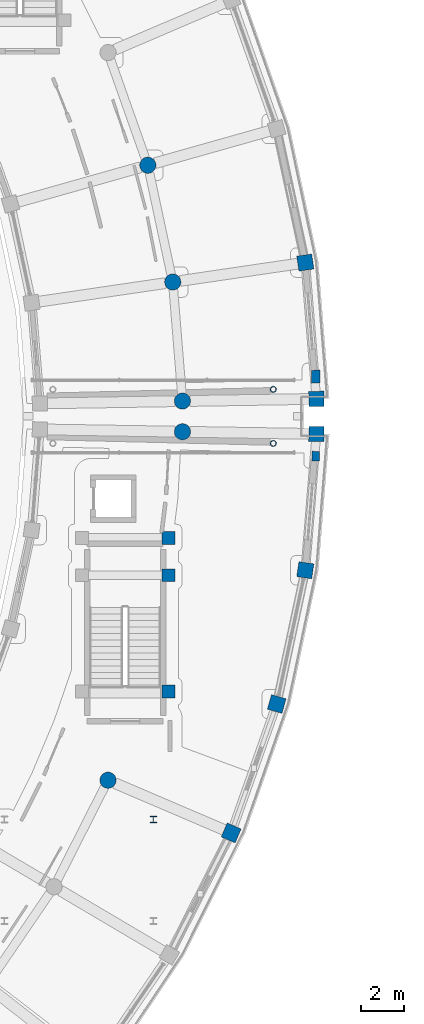
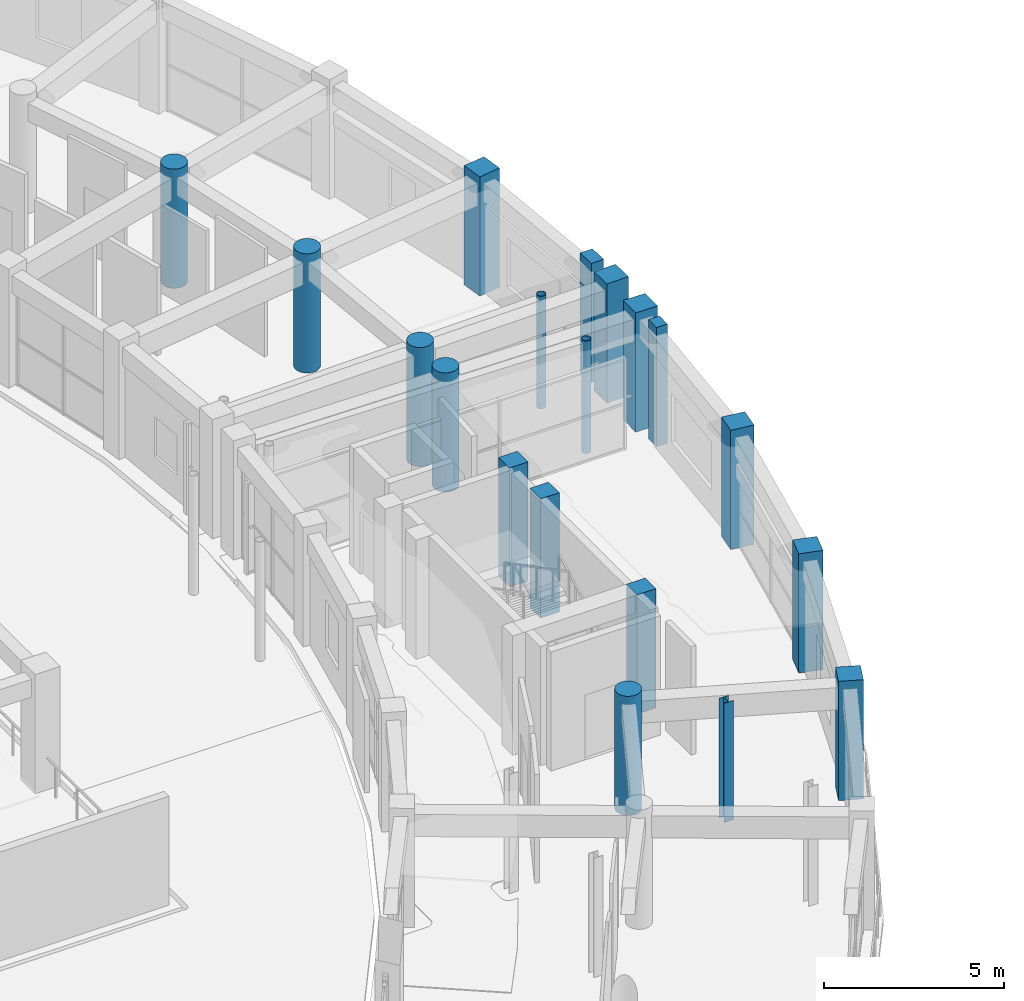
# One storey, part 10 of 87: 19 columns.
"""IFC4 building model written with IfcOpenShell, lengths in metres."""

from ifc_helpers import new_model, si_unit, direction, frame, origin, origin_2d, place, context, subcontext, project, spatial, rectangle, circle, hollow_circle, i_section, extrude, material, material_profile, profile_set, type_object, element, save


model = new_model("IFC4")

# Units and contexts
model_context = context("Model", 3, precision=1e-05, world=origin(), true_north=direction((0.0, 1.0)))
body_context = subcontext(model_context, "Body", "Model", "MODEL_VIEW")
ifc_project = project(units=[si_unit("LENGTHUNIT", "METRE"), si_unit("AREAUNIT", "SQUARE_METRE"), si_unit("VOLUMEUNIT", "CUBIC_METRE"), si_unit("PLANEANGLEUNIT", "RADIAN"), si_unit("MASSUNIT", "GRAM", prefix="KILO")], contexts=[model_context])

# Site, building, storey
site_placement = place(None, origin())
site = spatial("IfcSite", under=ifc_project, at=site_placement, CompositionType="ELEMENT")
building_placement = place(site_placement, origin())
building = spatial("IfcBuilding", under=site, at=building_placement, Name="Saryqyr Civic Hall", CompositionType="ELEMENT")
storey_placement = place(building_placement, frame((0.0, 0.0, 5.10009765625)))
storey = spatial("IfcBuildingStorey", under=building, at=storey_placement, Name="L01", CompositionType="ELEMENT", Elevation=5.10009765625)

# Columns
ifc_material_1 = material(Name="Steel S355", Category="steel")
ifc_material_profile_1 = material_profile(ifc_material_1, hollow_circle(Radius=0.136474609375, WallThickness=0.01611328125, at=origin_2d()), Name="CHS 273x16")
ifc_profile_set_1 = profile_set([ifc_material_profile_1], Name="Steel S355")
column_type_1 = type_object("IfcColumnType", Name="STR-COL-CHS273-S355", PredefinedType="COLUMN", material=ifc_profile_set_1)
for number, where, z_axis, x_axis, name in (
    (1, (104.0, 82.75, 0.0), (0.0, 0.0, 1.0), (1.0, 0.0, 0.0), "Column BRCOL-BR-E-2-L01"),
    (2, (104.0, 85.25, 0.0), (0.0, 0.0, 1.0), (1.0, 0.0, 0.0), "Column BRCOL-BR-E-3-L01"),
):
    element("IfcColumn", number, at=place(storey_placement, frame(where, z_axis=z_axis, x_axis=x_axis)), inside=storey, type_object=column_type_1, Name=name, PredefinedType="COLUMN", context=body_context, shape_type="SweptSolid", body=[
        extrude(hollow_circle(Radius=0.136474609375, WallThickness=0.01611328125, at=origin_2d()), origin(), (0.0, 0.0, 1.0), 3.81982421875),
    ])
ifc_material_profile_2 = material_profile(ifc_material_1, i_section(OverallWidth=0.300048828125, OverallDepth=0.2900390625, WebThickness=0.008544921875, FlangeThickness=0.013916015625, at=origin_2d()), Name="HEA 300")
ifc_profile_set_2 = profile_set([ifc_material_profile_2], Name="Steel S355")
column_type_2 = type_object("IfcColumnType", Name="STR-COL-HEA300-S355", PredefinedType="COLUMN", material=ifc_profile_set_2)
column_1_placement = place(storey_placement, frame((98.449951171875, 65.35009765625, 0.0), z_axis=(0.0, 0.0, 1.0), x_axis=(1.0, 0.0, 0.0)))
element("IfcColumn", 3, at=column_1_placement, inside=storey, type_object=column_type_2, Name="Column RGV5-COL-3-L01", PredefinedType="COLUMN", context=body_context, shape_type="SweptSolid", body=[
    extrude(i_section(OverallWidth=0.300048828125, OverallDepth=0.2900390625, WebThickness=0.008544921875, FlangeThickness=0.013916015625, at=origin_2d()), origin(), (0.0, 0.0, 1.0), 4.0498046875),
])
ifc_material_2 = material(Name="Concrete C40/50", Category="concrete")
ifc_material_profile_3 = material_profile(ifc_material_2, rectangle(XDim=0.60009765625, YDim=0.60009765625, at=origin_2d()), Name="RC 600x600")
ifc_profile_set_3 = profile_set([ifc_material_profile_3], Name="Concrete C40/50")
column_type_3 = type_object("IfcColumnType", Name="STR-COL-RC600-C40", PredefinedType="COLUMN", material=ifc_profile_set_3)
for number, where, z_axis, x_axis, name in (
    (4, (99.139892578125, 71.27490234375, 0.0), (0.0, 0.0, 1.0), (1.0, 0.0, 0.0), "Column ST-5-SCOL-TRMA-L01"),
    (5, (99.139892578125, 76.64990234375, 0.0), (0.0, 0.0, 1.0), (1.0, 0.0, 0.0), "Column ST-5-SCOL-LND1A-L01"),
    (6, (99.139892578125, 78.3798828125, 0.0), (0.0, 0.0, 1.0), (1.0, 0.0, 0.0), "Column ST-5-SCOL-LND2A-L01"),
):
    element("IfcColumn", number, at=place(storey_placement, frame(where, z_axis=z_axis, x_axis=x_axis)), inside=storey, type_object=column_type_3, Name=name, PredefinedType="COLUMN", context=body_context, shape_type="SweptSolid", body=[
        extrude(rectangle(XDim=0.60009765625, YDim=0.60009765625, at=origin_2d()), origin(), (0.0, 0.0, 1.0), 4.0498046875),
    ])
ifc_material_profile_4 = material_profile(ifc_material_2, rectangle(XDim=0.699951171875, YDim=0.699951171875, at=origin_2d()), Name="RC 700x700")
ifc_profile_set_4 = profile_set([ifc_material_profile_4], Name="Concrete C40/50")
column_type_4 = type_object("IfcColumnType", Name="STR-COL-RC700-C40", PredefinedType="COLUMN", material=ifc_profile_set_4)
for number, where, z_axis, x_axis, name in (
    (7, (102.04931640625, 64.724365234375, 0.0), (0.0, 0.0, 1.0), (0.919410138581, -0.393300136124, 0.0), "Column V5-COL-OUT07-L01"),
    (8, (104.157958984375, 70.691162109375, 0.0), (0.0, 0.0, 1.0), (0.962407846499, -0.271608425858, 0.0), "Column V5-COL-OUT08-L01"),
    (9, (105.47998046875, 76.8798828125, 0.0), (0.0, 0.0, 1.0), (0.989374077068, -0.145392350643, 0.0), "Column V5-COL-OUT09-L01"),
    (10, (105.993408203125, 83.1875, 0.0), (0.0, 0.0, 1.0), (0.999862544538, -0.016579868188, 0.0), "Column V5-COL-OUT10-L01"),
    (11, (105.993408203125, 84.8125, 0.0), (0.0, 0.0, 1.0), (0.999862544538, 0.016579868188, 0.0), "Column V6-COL-OUT00-L01"),
    (12, (105.47998046875, 91.1201171875, 0.0), (0.0, 0.0, 1.0), (0.989399437751, 0.145219670077, 0.0), "Column V6-COL-OUT01-L01"),
):
    element("IfcColumn", number, at=place(storey_placement, frame(where, z_axis=z_axis, x_axis=x_axis)), inside=storey, type_object=column_type_4, Name=name, PredefinedType="COLUMN", context=body_context, shape_type="SweptSolid", body=[
        extrude(rectangle(XDim=0.699951171875, YDim=0.699951171875, at=origin_2d()), origin(), (0.0, 0.0, 1.0), 4.0498046875),
    ])
ifc_material_profile_5 = material_profile(ifc_material_2, circle(Radius=0.375, at=origin_2d()), Name="RC D750")
ifc_profile_set_5 = profile_set([ifc_material_profile_5], Name="Concrete C40/50")
column_type_5 = type_object("IfcColumnType", Name="STR-COL-RCD750-INT", PredefinedType="COLUMN", material=ifc_profile_set_5)
for number, where, z_axis, x_axis, name in (
    (13, (96.349365234375, 67.163330078125, 0.0), (0.0, 0.0, 1.0), (0.919410138581, -0.393300136124, 0.0), "Column V5-COL-MID07-L01"),
    (14, (99.794189453125, 83.290283203125, 0.0), (0.0, 0.0, 1.0), (0.999862544538, -0.016579868188, 0.0), "Column V5-COL-MID10-L01"),
    (15, (99.794189453125, 84.709716796875, 0.0), (0.0, 0.0, 1.0), (0.999862544538, 0.016579868188, 0.0), "Column V6-COL-MID00-L01"),
    (16, (99.345703125, 90.218994140625, 0.0), (0.0, 0.0, 1.0), (0.989399437751, 0.145219670077, 0.0), "Column V6-COL-MID01-L01"),
    (17, (98.191162109375, 95.624755859375, 0.0), (0.0, 0.0, 1.0), (0.962407846499, 0.271608425858, 0.0), "Column V6-COL-MID02-L01"),
):
    element("IfcColumn", number, at=place(storey_placement, frame(where, z_axis=z_axis, x_axis=x_axis)), inside=storey, type_object=column_type_5, Name=name, PredefinedType="COLUMN", context=body_context, shape_type="SweptSolid", body=[
        extrude(circle(Radius=0.375, at=origin_2d()), origin(), (0.0, 0.0, 1.0), 4.0498046875),
    ])
ifc_material_3 = material(Name="Concrete C35/45", Category="concrete")
ifc_material_profile_6 = material_profile(ifc_material_3, rectangle(XDim=0.35009765625, YDim=0.449951171875, at=origin_2d()), Name="RC 350x450")
ifc_profile_set_6 = profile_set([ifc_material_profile_6], Name="Concrete C35/45")
column_type_6 = type_object("IfcColumnType", Name="STR-PIL-RC350x450-EXT", PredefinedType="PILASTER", material=ifc_profile_set_6)
column_2_placement = place(storey_placement, frame((105.965576171875, 82.16162109375, 0.0), z_axis=(0.0, 0.0, 1.0), x_axis=(0.999862544538, -0.016579868188, 0.0)))
element("IfcColumn", 18, at=column_2_placement, inside=storey, type_object=column_type_6, Name="Column V5-PIL-10-L01", PredefinedType="PILASTER", context=body_context, shape_type="SweptSolid", body=[
    extrude(rectangle(XDim=0.35009765625, YDim=0.449951171875, at=origin_2d()), origin(), (0.0, 0.0, 1.0), 4.0498046875),
])
ifc_material_profile_7 = material_profile(ifc_material_2, rectangle(XDim=0.39990234375, YDim=0.60009765625, at=origin_2d()), Name="RC 400x600")
ifc_profile_set_7 = profile_set([ifc_material_profile_7], Name="Concrete C40/50")
column_type_7 = type_object("IfcColumnType", Name="STR-PIL-RC400x600-EXT", PredefinedType="PILASTER", material=ifc_profile_set_7)
column_3_placement = place(storey_placement, frame((105.965576171875, 85.83837890625, 0.0), z_axis=(0.0, 0.0, 1.0), x_axis=(0.999862544538, 0.016579868188, 0.0)))
element("IfcColumn", 19, at=column_3_placement, inside=storey, type_object=column_type_7, Name="Column V6-PIL-00-L01", PredefinedType="PILASTER", context=body_context, shape_type="SweptSolid", body=[
    extrude(rectangle(XDim=0.39990234375, YDim=0.60009765625, at=origin_2d()), origin(), (0.0, 0.0, 1.0), 4.0498046875),
])

save(model, "model.ifc")
